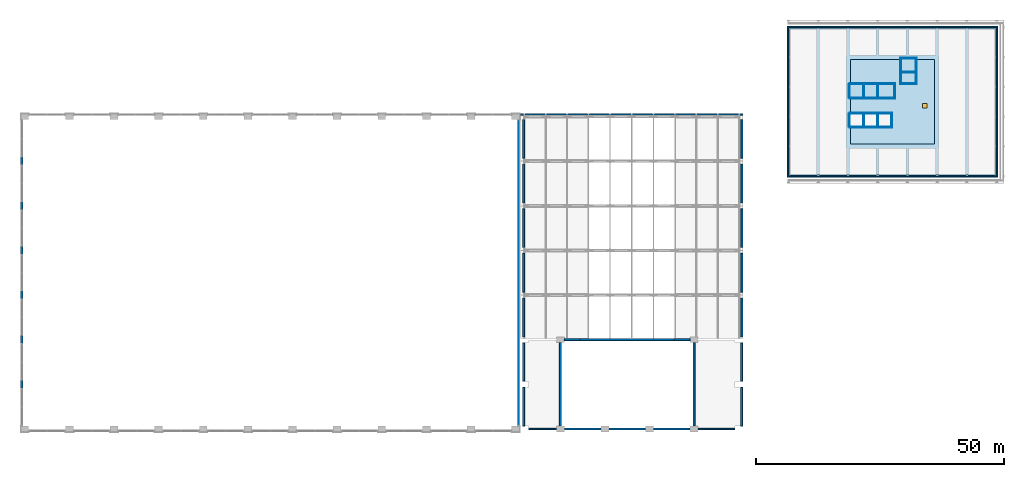
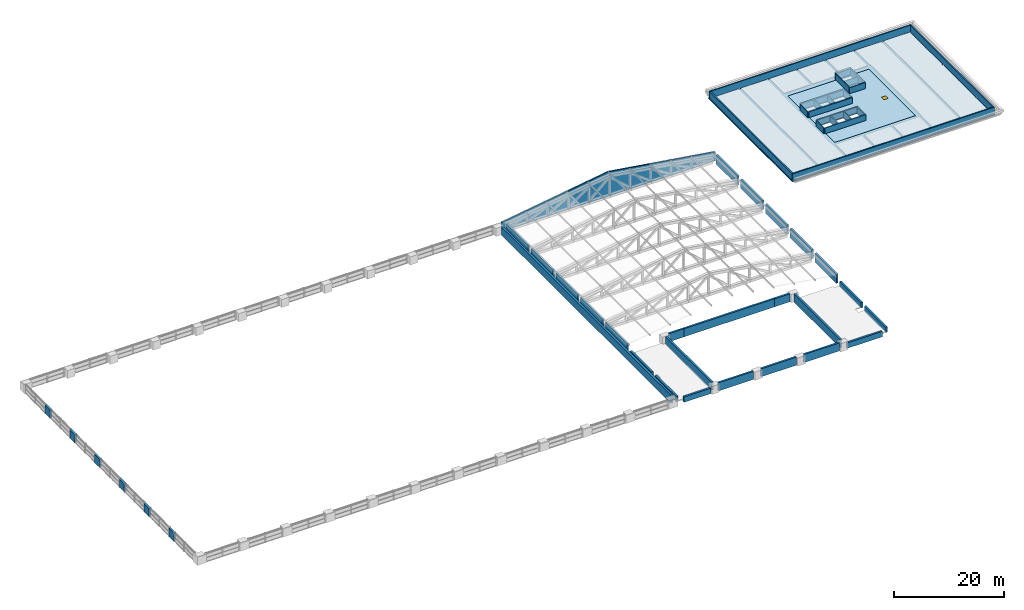
"""IFC4 building model written with IfcOpenShell, lengths in metres."""

from ifc_helpers import new_model, si_unit, direction, frame, frame_2d, origin, origin_2d, place, context, subcontext, project, spatial, polyline, rectangle, outline, extrude, material, layer, layer_set, type_object, element, fill, save


model = new_model("IFC4")

# Units and contexts
model_context = context("Model", 3, precision=1e-05, world=origin(), true_north=direction((0.0, 1.0)))
body_context = subcontext(model_context, "Body", "Model", "MODEL_VIEW")
ifc_project = project(units=[si_unit("LENGTHUNIT", "METRE"), si_unit("AREAUNIT", "SQUARE_METRE"), si_unit("VOLUMEUNIT", "CUBIC_METRE"), si_unit("PLANEANGLEUNIT", "RADIAN"), si_unit("MASSUNIT", "GRAM", prefix="KILO")], contexts=[model_context])

# Site, building, storey
site_placement = place(None, origin())
site = spatial("IfcSite", under=ifc_project, at=site_placement, CompositionType="ELEMENT")
building_placement = place(site_placement, origin())
building = spatial("IfcBuilding", under=site, at=building_placement, Name="Aravalli Gate Trade Fair Centre", CompositionType="ELEMENT")
storey_1_placement = place(building_placement, frame((0.0, 0.0, 23.39990234375)))
storey_1 = spatial("IfcBuildingStorey", under=building, at=storey_1_placement, Name="ROOF LEVEL 1", CompositionType="ELEMENT", Elevation=23.39990234375)

# Slab, opening
ifc_material_1 = material(Name="Concrete M50", Category="concrete")
ifc_layer_1 = layer(ifc_material_1, 0.199951171875)
ifc_layer_set_1 = layer_set([ifc_layer_1], Name="Concrete M50")
slab_type_1 = type_object("IfcSlabType", Name="Wing core roof slab 200", PredefinedType="ROOF", material=ifc_layer_set_1)
slab_1_placement = place(storey_1_placement, frame((0.0, 0.0, -0.199951171875)))
slab_1 = element("IfcSlab", 1, at=slab_1_placement, inside=storey_1, type_object=slab_type_1, Name="Core roof slab ROOF LEVEL 1", PredefinedType="ROOF", context=body_context, shape_type="SweptSolid", body=[
    extrude(outline(polyline([(189.5, 120.5), (189.5, 103.5), (172.5, 103.5), (172.5, 106.89990234375), (175.10009765625, 106.89990234375), (175.10009765625, 109.60009765625), (172.5, 109.60009765625), (172.5, 112.800048828125), (175.10009765625, 112.800048828125), (175.10009765625, 115.5), (172.5, 115.5), (172.5, 120.5), (182.800048828125, 120.5), (182.800048828125, 118.0), (185.699951171875, 118.0), (185.699951171875, 120.5), (189.5, 120.5)]), holes=[polyline([(175.300048828125, 109.60009765625), (175.300048828125, 106.89990234375), (177.89990234375, 106.89990234375), (177.89990234375, 109.60009765625), (175.300048828125, 109.60009765625)]), polyline([(178.10009765625, 109.60009765625), (178.10009765625, 106.89990234375), (180.699951171875, 106.89990234375), (180.699951171875, 109.60009765625), (178.10009765625, 109.60009765625)]), polyline([(175.300048828125, 115.5), (175.300048828125, 112.800048828125), (177.89990234375, 112.800048828125), (177.89990234375, 115.5), (175.300048828125, 115.5)]), polyline([(178.10009765625, 115.5), (178.10009765625, 112.800048828125), (181.300048828125, 112.800048828125), (181.300048828125, 115.5), (178.10009765625, 115.5)]), polyline([(182.800048828125, 117.800048828125), (182.800048828125, 115.699951171875), (185.699951171875, 115.699951171875), (185.699951171875, 117.800048828125), (182.800048828125, 117.800048828125)])]), origin(), (0.0, 0.0, 1.0), 0.199951171875),
])
opening_placement = place(slab_1_placement, frame((187.5, 111.199951171875, 0.0)))
opening = element("IfcOpeningElement", 2, at=opening_placement, cuts=slab_1, Name="Opening TGH1", PredefinedType="OPENING", context=body_context, shape_type="SweptSolid", body=[
    extrude(rectangle(XDim=0.89990234375, YDim=0.89990234375, at=origin_2d()), origin(), (0.0, 0.0, 1.0), 0.199951171875),
])

# Storey
storey_2_placement = place(building_placement, frame((0.0, 0.0, 19.199951171875)))
storey_2 = spatial("IfcBuildingStorey", under=building, at=storey_2_placement, Name="L04", CompositionType="ELEMENT", Elevation=19.199951171875)

# Window
ifc_material_2 = material(Name="Steel", Category="steel")
window_type = type_object("IfcWindowType", Name="Wing roof access hatch 900 x 900", PartitioningType="SINGLE_PANEL", PredefinedType="SKYLIGHT", material=ifc_material_2)
window_placement = place(opening_placement, frame((0.0, 0.0, 0.14990234375)))
window = element("IfcWindow", 3, at=window_placement, inside=storey_2, type_object=window_type, Name="Roof access hatch", OverallHeight=0.89990234375, OverallWidth=0.89990234375, PartitioningType="SINGLE_PANEL", PredefinedType="SKYLIGHT", context=body_context, shape_type="SweptSolid", body=[
    extrude(rectangle(XDim=0.89990234375, YDim=0.89990234375, at=origin_2d()), origin(), (0.0, 0.0, 1.0), 0.050048828125),
])

fill(opening, window)

# Slabs
ifc_layer_2 = layer(ifc_material_1, 0.199951171875)
ifc_layer_set_2 = layer_set([ifc_layer_2], Name="Concrete M50")
slab_type_2 = type_object("IfcSlabType", Name="Wing overrun roof slab 200", PredefinedType="ROOF", material=ifc_layer_set_2)
slab_2_placement = place(storey_1_placement, frame((0.0, 0.0, 1.300048828125)))
element("IfcSlab", 4, at=slab_2_placement, inside=storey_1, type_object=slab_type_2, Name="Lift overrun roof slab N", PredefinedType="ROOF", context=body_context, shape_type="SweptSolid", body=[
    extrude(outline(polyline([(172.14990234375, 112.60009765625), (181.5, 112.60009765625), (181.5, 115.699951171875), (172.14990234375, 115.699951171875), (172.14990234375, 112.60009765625)])), origin(), (0.0, 0.0, 1.0), 0.199951171875),
])
slab_3_placement = place(storey_1_placement, frame((0.0, 0.0, 1.300048828125)))
element("IfcSlab", 5, at=slab_3_placement, inside=storey_1, type_object=slab_type_2, Name="Lift overrun roof slab F", PredefinedType="ROOF", context=body_context, shape_type="SweptSolid", body=[
    extrude(outline(polyline([(182.60009765625, 115.5), (185.89990234375, 115.5), (185.89990234375, 121.0), (182.60009765625, 121.0), (182.60009765625, 115.5)])), origin(), (0.0, 0.0, 1.0), 0.199951171875),
])
ifc_layer_3 = layer(ifc_material_1, 0.199951171875)
ifc_layer_set_3 = layer_set([ifc_layer_3], Name="Concrete M50")
slab_type_3 = type_object("IfcSlabType", Name="Wing roof slab 200", PredefinedType="ROOF", material=ifc_layer_set_3)
slab_4_placement = place(storey_1_placement, frame((0.0, 0.0, -0.199951171875)))
element("IfcSlab", 6, at=slab_4_placement, inside=storey_1, type_object=slab_type_3, Name="Wing roof slab ROOF LEVEL 1", PredefinedType="ROOF", context=body_context, shape_type="SweptSolid", body=[
    extrude(outline(polyline([(159.695068359375, 127.304931640625), (202.304931640625, 127.304931640625), (202.304931640625, 96.695068359375), (159.695068359375, 96.695068359375), (159.695068359375, 127.304931640625)]), holes=[polyline([(159.77490234375, 97.22509765625), (159.77490234375, 96.77490234375), (160.22509765625, 96.77490234375), (160.22509765625, 97.22509765625), (159.77490234375, 97.22509765625)]), polyline([(166.22509765625, 97.22509765625), (165.77490234375, 97.22509765625), (165.77490234375, 96.77490234375), (166.22509765625, 96.77490234375), (166.22509765625, 97.22509765625)]), polyline([(172.22509765625, 97.22509765625), (171.77490234375, 97.22509765625), (171.77490234375, 96.77490234375), (172.22509765625, 96.77490234375), (172.22509765625, 97.22509765625)]), polyline([(177.77490234375, 97.22509765625), (177.77490234375, 96.77490234375), (178.22509765625, 96.77490234375), (178.22509765625, 97.22509765625), (177.77490234375, 97.22509765625)]), polyline([(160.22509765625, 103.22509765625), (159.77490234375, 103.22509765625), (159.77490234375, 102.77490234375), (160.22509765625, 102.77490234375), (160.22509765625, 103.22509765625)]), polyline([(160.22509765625, 109.22509765625), (159.77490234375, 109.22509765625), (159.77490234375, 108.77490234375), (160.22509765625, 108.77490234375), (160.22509765625, 109.22509765625)]), polyline([(159.77490234375, 115.22509765625), (159.77490234375, 114.77490234375), (160.22509765625, 114.77490234375), (160.22509765625, 115.22509765625), (159.77490234375, 115.22509765625)]), polyline([(160.22509765625, 121.22509765625), (159.77490234375, 121.22509765625), (159.77490234375, 120.77490234375), (160.22509765625, 120.77490234375), (160.22509765625, 121.22509765625)]), polyline([(160.22509765625, 127.22509765625), (159.77490234375, 127.22509765625), (159.77490234375, 126.77490234375), (160.22509765625, 126.77490234375), (160.22509765625, 127.22509765625)]), polyline([(165.77490234375, 127.22509765625), (165.77490234375, 126.77490234375), (166.22509765625, 126.77490234375), (166.22509765625, 127.22509765625), (165.77490234375, 127.22509765625)]), polyline([(172.22509765625, 127.22509765625), (171.77490234375, 127.22509765625), (171.77490234375, 126.77490234375), (172.22509765625, 126.77490234375), (172.22509765625, 127.22509765625)]), polyline([(178.22509765625, 127.22509765625), (177.77490234375, 127.22509765625), (177.77490234375, 126.77490234375), (178.22509765625, 126.77490234375), (178.22509765625, 127.22509765625)]), polyline([(183.77490234375, 97.22509765625), (183.77490234375, 96.77490234375), (184.22509765625, 96.77490234375), (184.22509765625, 97.22509765625), (183.77490234375, 97.22509765625)]), polyline([(190.22509765625, 97.22509765625), (189.77490234375, 97.22509765625), (189.77490234375, 96.77490234375), (190.22509765625, 96.77490234375), (190.22509765625, 97.22509765625)]), polyline([(196.22509765625, 97.22509765625), (195.77490234375, 97.22509765625), (195.77490234375, 96.77490234375), (196.22509765625, 96.77490234375), (196.22509765625, 97.22509765625)]), polyline([(201.77490234375, 97.22509765625), (201.77490234375, 96.77490234375), (202.22509765625, 96.77490234375), (202.22509765625, 97.22509765625), (201.77490234375, 97.22509765625)]), polyline([(202.22509765625, 103.22509765625), (201.77490234375, 103.22509765625), (201.77490234375, 102.77490234375), (202.22509765625, 102.77490234375), (202.22509765625, 103.22509765625)]), polyline([(202.22509765625, 109.22509765625), (201.77490234375, 109.22509765625), (201.77490234375, 108.77490234375), (202.22509765625, 108.77490234375), (202.22509765625, 109.22509765625)]), polyline([(201.77490234375, 115.22509765625), (201.77490234375, 114.77490234375), (202.22509765625, 114.77490234375), (202.22509765625, 115.22509765625), (201.77490234375, 115.22509765625)]), polyline([(202.22509765625, 121.22509765625), (201.77490234375, 121.22509765625), (201.77490234375, 120.77490234375), (202.22509765625, 120.77490234375), (202.22509765625, 121.22509765625)]), polyline([(184.22509765625, 127.22509765625), (183.77490234375, 127.22509765625), (183.77490234375, 126.77490234375), (184.22509765625, 126.77490234375), (184.22509765625, 127.22509765625)]), polyline([(189.77490234375, 127.22509765625), (189.77490234375, 126.77490234375), (190.22509765625, 126.77490234375), (190.22509765625, 127.22509765625), (189.77490234375, 127.22509765625)]), polyline([(196.22509765625, 127.22509765625), (195.77490234375, 127.22509765625), (195.77490234375, 126.77490234375), (196.22509765625, 126.77490234375), (196.22509765625, 127.22509765625)]), polyline([(202.22509765625, 127.22509765625), (201.77490234375, 127.22509765625), (201.77490234375, 126.77490234375), (202.22509765625, 126.77490234375), (202.22509765625, 127.22509765625)]), polyline([(189.5, 120.5), (172.5, 120.5), (172.5, 103.5), (189.5, 103.5), (189.5, 120.5)])]), origin(), (0.0, 0.0, 1.0), 0.199951171875),
])

# Walls
ifc_material_3 = material(Name="Concrete M40", Category="concrete")
ifc_layer_4 = layer(ifc_material_3, 0.39990234375)
ifc_layer_set_4 = layer_set([ifc_layer_4], Name="Concrete M40")
wall_type_1 = type_object("IfcWallType", Name="Congress RC wall 400", PredefinedType="SHEAR", material=ifc_layer_set_4)
for number, where, z_axis, x_axis, name in (
    (7, (114.0, 46.60009765625, 0.0), (0.0, 0.0, 1.0), (0.0, 1.0, 0.0), "Stage house wall line 114 ROOF LEVEL 1"),
    (8, (141.0, 46.60009765625, 0.0), (0.0, 0.0, 1.0), (0.0, 1.0, 0.0), "Stage house wall line 141 ROOF LEVEL 1"),
):
    element("IfcWall", number, at=place(storey_1_placement, frame(where, z_axis=z_axis, x_axis=x_axis)), inside=storey_1, type_object=wall_type_1, Name=name, PredefinedType="SHEAR", context=body_context, shape_type="SweptSolid", body=[
        extrude(rectangle(XDim=16.7998046875, YDim=0.39990234375, at=frame_2d((8.39990234375, 0.0))), origin(), (0.0, 0.0, 1.0), 1.800048828125),
    ])
for number, where, z_axis, x_axis, name in (
    (9, (114.800048828125, 64.0, 0.0), (0.0, 0.0, 1.0), (1.0, 0.0, 0.0), "Proscenium wall W ROOF LEVEL 1"),
    (10, (137.0, 64.0, 0.0), (0.0, 0.0, 1.0), (1.0, 0.0, 0.0), "Proscenium wall E ROOF LEVEL 1"),
):
    element("IfcWall", number, at=place(storey_1_placement, frame(where, z_axis=z_axis, x_axis=x_axis)), inside=storey_1, type_object=wall_type_1, Name=name, PredefinedType="SHEAR", context=body_context, shape_type="SweptSolid", body=[
        extrude(rectangle(XDim=3.199951171875, YDim=0.39990234375, at=frame_2d((1.60009765625, 0.0))), origin(), (0.0, 0.0, 1.0), 1.800048828125),
    ])
wall_1_placement = place(storey_1_placement, frame((118.0, 64.0, 0.0), z_axis=(0.0, 0.0, 1.0), x_axis=(1.0, 0.0, 0.0)))
element("IfcWall", 11, at=wall_1_placement, inside=storey_1, type_object=wall_type_1, Name="Proscenium wall above the opening ROOF LEVEL 1", PredefinedType="SHEAR", context=body_context, shape_type="SweptSolid", body=[
    extrude(rectangle(XDim=19.0, YDim=0.39990234375, at=frame_2d((9.5, 0.0))), origin(), (0.0, 0.0, 1.0), 1.800048828125),
])
ifc_layer_5 = layer(ifc_material_3, 0.25, Name="Structural wall")
ifc_material_4 = material(Name="Ventilated air cavity")
ifc_layer_6 = layer(ifc_material_4, 0.050048828125, ventilated=True, Name="Ventilated cavity")
ifc_material_5 = material(Name="Terracotta rainscreen", Category="masonry")
ifc_layer_7 = layer(ifc_material_5, 0.10009765625, Name="Rainscreen cladding")
ifc_layer_set_5 = layer_set([ifc_layer_5, ifc_layer_6, ifc_layer_7], Name="Congress external wall 400")
wall_type_2 = type_object("IfcWallType", Name="Congress external wall 400", PredefinedType="SOLIDWALL", material=ifc_layer_set_5)
for number, where, z_axis, x_axis, name in (
    (12, (114.800048828125, 46.0, 0.0), (0.0, 0.0, 1.0), (1.0, 0.0, 0.0), "Stage house south wall ROOF LEVEL 1 bay 2"),
    (13, (123.800048828125, 46.0, 0.0), (0.0, 0.0, 1.0), (1.0, 0.0, 0.0), "Stage house south wall ROOF LEVEL 1 bay 3"),
    (14, (132.800048828125, 46.0, 0.0), (0.0, 0.0, 1.0), (1.0, 0.0, 0.0), "Stage house south wall ROOF LEVEL 1 bay 4"),
):
    element("IfcWall", number, at=place(storey_1_placement, frame(where, z_axis=z_axis, x_axis=x_axis)), inside=storey_1, type_object=wall_type_2, Name=name, PredefinedType="SOLIDWALL", context=body_context, shape_type="SweptSolid", body=[
        extrude(rectangle(XDim=7.39990234375, YDim=0.39990234375, at=frame_2d((3.699951171875, 0.0))), origin(), (0.0, 0.0, 1.0), 1.800048828125),
    ])
for number, where, z_axis, x_axis, name in (
    (15, (106.60009765625, 64.60009765625, 0.0), (0.0, 0.0, 1.0), (0.0, 1.0, 0.0), "Eaves band W bay 3"),
    (16, (106.60009765625, 73.60009765625, 0.0), (0.0, 0.0, 1.0), (0.0, 1.0, 0.0), "Eaves band W bay 4"),
    (17, (106.60009765625, 82.60009765625, 0.0), (0.0, 0.0, 1.0), (0.0, 1.0, 0.0), "Eaves band W bay 5"),
    (18, (106.60009765625, 91.60009765625, 0.0), (0.0, 0.0, 1.0), (0.0, 1.0, 0.0), "Eaves band W bay 6"),
    (19, (106.60009765625, 100.60009765625, 0.0), (0.0, 0.0, 1.0), (0.0, 1.0, 0.0), "Eaves band W bay 7"),
):
    element("IfcWall", number, at=place(storey_1_placement, frame(where, z_axis=z_axis, x_axis=x_axis)), inside=storey_1, type_object=wall_type_2, Name=name, PredefinedType="SOLIDWALL", context=body_context, shape_type="SweptSolid", body=[
        extrude(rectangle(XDim=7.7998046875, YDim=0.39990234375, at=frame_2d((3.89990234375, 0.0))), origin(), (0.0, 0.0, 1.0), 2.076416015625),
    ])
for number, where, z_axis, x_axis, name in (
    (20, (150.60009765625, 64.60009765625, 0.0), (0.0, 0.0, 1.0), (0.0, 1.0, 0.0), "Eaves band E bay 3"),
    (21, (150.60009765625, 73.60009765625, 0.0), (0.0, 0.0, 1.0), (0.0, 1.0, 0.0), "Eaves band E bay 4"),
    (22, (150.60009765625, 82.60009765625, 0.0), (0.0, 0.0, 1.0), (0.0, 1.0, 0.0), "Eaves band E bay 5"),
    (23, (150.60009765625, 91.60009765625, 0.0), (0.0, 0.0, 1.0), (0.0, 1.0, 0.0), "Eaves band E bay 6"),
    (24, (150.60009765625, 100.60009765625, 0.0), (0.0, 0.0, 1.0), (0.0, 1.0, 0.0), "Eaves band E bay 7"),
):
    element("IfcWall", number, at=place(storey_1_placement, frame(where, z_axis=z_axis, x_axis=x_axis)), inside=storey_1, type_object=wall_type_2, Name=name, PredefinedType="SOLIDWALL", context=body_context, shape_type="SweptSolid", body=[
        extrude(rectangle(XDim=7.7998046875, YDim=0.39990234375, at=frame_2d((3.89990234375, 0.0))), origin(), (0.0, 0.0, 1.0), 2.015380859375),
    ])
ifc_material_6 = material(Name="Terracotta", Category="masonry")
ifc_layer_8 = layer(ifc_material_6, 0.300048828125)
ifc_layer_set_6 = layer_set([ifc_layer_8], Name="Terracotta")
wall_type_3 = type_object("IfcWallType", Name="Congress gable infill 300", PredefinedType="SOLIDWALL", material=ifc_layer_set_6)
wall_2_placement = place(storey_1_placement, frame((105.949951171875, 109.449951171875, 0.0), z_axis=(0.0, 0.0, 1.0), x_axis=(1.0, 0.0, 0.0)))
element("IfcWall", 25, at=wall_2_placement, inside=storey_1, type_object=wall_type_3, Name="North gable infill", PredefinedType="SOLIDWALL", context=body_context, shape_type="SweptSolid", body=[
    extrude(outline(polyline([(0.0, 0.0), (44.85009765625, 0.0), (44.85009765625, 1.98486328125), (44.050048828125, 2.107177734375), (39.72998046875, 2.76708984375), (35.409912109375, 3.427001953125), (31.090087890625, 4.087158203125), (26.77001953125, 4.7470703125), (22.449951171875, 5.406982421875), (18.1298828125, 4.7470703125), (13.81005859375, 4.087158203125), (9.489990234375, 3.427001953125), (5.169921875, 2.76708984375), (0.85009765625, 2.107177734375), (0.0, 1.977294921875), (0.0, 0.0)])), frame((0.0, 0.14990234375, 0.0), z_axis=(0.0, -1.0, 0.0), x_axis=(1.0, 0.0, 0.0)), (0.0, 0.0, 1.0), 0.300048828125),
])
ifc_layer_9 = layer(ifc_material_3, 0.25, Name="Structural wall")
ifc_layer_10 = layer(ifc_material_4, 0.050048828125, ventilated=True, Name="Ventilated cavity")
ifc_layer_11 = layer(ifc_material_5, 0.10009765625, Name="Rainscreen cladding")
ifc_layer_set_7 = layer_set([ifc_layer_9, ifc_layer_10, ifc_layer_11], Name="Congress wing parapet 400")
wall_type_4 = type_object("IfcWallType", Name="Congress wing parapet 400", PredefinedType="PARAPET", material=ifc_layer_set_7)
for number, where, z_axis, x_axis, name in (
    (26, (106.60009765625, 46.60009765625, 0.0), (0.0, 0.0, 1.0), (0.0, 1.0, 0.0), "Wing parapet W 1"),
    (27, (106.60009765625, 55.60009765625, 0.0), (0.0, 0.0, 1.0), (0.0, 1.0, 0.0), "Wing parapet W 2"),
    (28, (150.60009765625, 46.60009765625, 0.0), (0.0, 0.0, 1.0), (0.0, 1.0, 0.0), "Wing parapet E 1"),
    (29, (150.60009765625, 55.60009765625, 0.0), (0.0, 0.0, 1.0), (0.0, 1.0, 0.0), "Wing parapet E 2"),
):
    element("IfcWall", number, at=place(storey_1_placement, frame(where, z_axis=z_axis, x_axis=x_axis)), inside=storey_1, type_object=wall_type_4, Name=name, PredefinedType="PARAPET", context=body_context, shape_type="SweptSolid", body=[
        extrude(rectangle(XDim=7.7998046875, YDim=0.39990234375, at=frame_2d((3.89990234375, 0.0))), origin(), (0.0, 0.0, 1.0), 1.2001953125),
    ])
wall_3_placement = place(storey_1_placement, frame((107.60009765625, 46.0, 0.0), z_axis=(0.0, 0.0, 1.0), x_axis=(1.0, 0.0, 0.0)))
element("IfcWall", 30, at=wall_3_placement, inside=storey_1, type_object=wall_type_4, Name="Wing parapet south W", PredefinedType="PARAPET", context=body_context, shape_type="SweptSolid", body=[
    extrude(rectangle(XDim=5.599853515625, YDim=0.39990234375, at=frame_2d((2.7998046875, 0.0))), origin(), (0.0, 0.0, 1.0), 1.2001953125),
])
wall_4_placement = place(storey_1_placement, frame((141.800048828125, 46.0, 0.0), z_axis=(0.0, 0.0, 1.0), x_axis=(1.0, 0.0, 0.0)))
element("IfcWall", 31, at=wall_4_placement, inside=storey_1, type_object=wall_type_4, Name="Wing parapet south E", PredefinedType="PARAPET", context=body_context, shape_type="SweptSolid", body=[
    extrude(rectangle(XDim=7.39990234375, YDim=0.39990234375, at=frame_2d((3.699951171875, 0.0))), origin(), (0.0, 0.0, 1.0), 1.2001953125),
])
ifc_layer_12 = layer(ifc_material_3, 0.25, Name="Structural wall")
ifc_layer_13 = layer(ifc_material_4, 0.10009765625, ventilated=True, Name="Ventilated cavity")
ifc_layer_14 = layer(ifc_material_5, 0.10009765625, Name="Rainscreen cladding")
ifc_layer_set_8 = layer_set([ifc_layer_12, ifc_layer_13, ifc_layer_14], Name="Hall external wall 450")
wall_type_5 = type_object("IfcWallType", Name="Hall external wall 450", PredefinedType="SOLIDWALL", material=ifc_layer_set_8)
for number, where, z_axis, x_axis, name in (
    (32, (5.425048828125, 54.10009765625, 0.0), (0.0, 0.0, 1.0), (0.0, 1.0, 0.0), "Hall west crown pier 1 ROOF LEVEL 1"),
    (33, (5.425048828125, 63.10009765625, 0.0), (0.0, 0.0, 1.0), (0.0, 1.0, 0.0), "Hall west crown pier 2 ROOF LEVEL 1"),
    (34, (5.425048828125, 72.10009765625, 0.0), (0.0, 0.0, 1.0), (0.0, 1.0, 0.0), "Hall west crown pier 3 ROOF LEVEL 1"),
    (35, (5.425048828125, 81.10009765625, 0.0), (0.0, 0.0, 1.0), (0.0, 1.0, 0.0), "Hall west crown pier 4 ROOF LEVEL 1"),
    (36, (5.425048828125, 90.10009765625, 0.0), (0.0, 0.0, 1.0), (0.0, 1.0, 0.0), "Hall west crown pier 5 ROOF LEVEL 1"),
    (37, (5.425048828125, 99.10009765625, 0.0), (0.0, 0.0, 1.0), (0.0, 1.0, 0.0), "Hall west crown pier 6 ROOF LEVEL 1"),
):
    element("IfcWall", number, at=place(storey_1_placement, frame(where, z_axis=z_axis, x_axis=x_axis)), inside=storey_1, type_object=wall_type_5, Name=name, PredefinedType="SOLIDWALL", context=body_context, shape_type="SweptSolid", body=[
        extrude(rectangle(XDim=1.7998046875, YDim=0.449951171875, at=frame_2d((0.89990234375, 0.0))), origin(), (0.0, 0.0, 1.0), 1.800048828125),
    ])
wall_5_placement = place(storey_1_placement, frame((105.574951171875, 46.75, 0.0), z_axis=(0.0, 0.0, 1.0), x_axis=(0.0, 1.0, 0.0)))
element("IfcWall", 38, at=wall_5_placement, inside=storey_1, type_object=wall_type_5, Name="Hall east wall ROOF LEVEL 1", PredefinedType="SOLIDWALL", context=body_context, shape_type="SweptSolid", body=[
    extrude(rectangle(XDim=61.5, YDim=0.449951171875, at=frame_2d((30.75, 0.0))), origin(), (0.0, 0.0, 1.0), 1.800048828125),
])
ifc_material_7 = material(Name="Concrete M30", Category="concrete")
ifc_layer_15 = layer(ifc_material_7, 0.199951171875)
ifc_layer_set_9 = layer_set([ifc_layer_15], Name="Concrete M30")
wall_type_6 = type_object("IfcWallType", Name="Wing lift overrun wall 200", PredefinedType="SOLIDWALL", material=ifc_layer_set_9)
for number, where, z_axis, x_axis, name in (
    (39, (172.35009765625, 106.800048828125, 0.0), (0.0, 0.0, 1.0), (1.0, 0.0, 0.0), "Lift overrun wall S1"),
    (40, (172.35009765625, 109.699951171875, 0.0), (0.0, 0.0, 1.0), (1.0, 0.0, 0.0), "Lift overrun wall S2"),
):
    element("IfcWall", number, at=place(storey_1_placement, frame(where, z_axis=z_axis, x_axis=x_axis)), inside=storey_1, type_object=wall_type_6, Name=name, PredefinedType="SOLIDWALL", context=body_context, shape_type="SweptSolid", body=[
        extrude(rectangle(XDim=8.5498046875, YDim=0.199951171875, at=frame_2d((4.27490234375, 0.0))), origin(), (0.0, 0.0, 1.0), 1.300048828125),
    ])
for number, where, z_axis, x_axis, name in (
    (41, (172.25, 106.89990234375, 0.0), (0.0, 0.0, 1.0), (0.0, 1.0, 0.0), "Lift overrun wall S5"),
    (42, (175.199951171875, 106.89990234375, 0.0), (0.0, 0.0, 1.0), (0.0, 1.0, 0.0), "Lift overrun wall S6"),
    (43, (178.0, 106.89990234375, 0.0), (0.0, 0.0, 1.0), (0.0, 1.0, 0.0), "Lift overrun wall S7"),
    (44, (180.800048828125, 106.89990234375, 0.0), (0.0, 0.0, 1.0), (0.0, 1.0, 0.0), "Lift overrun wall S8"),
):
    element("IfcWall", number, at=place(storey_1_placement, frame(where, z_axis=z_axis, x_axis=x_axis)), inside=storey_1, type_object=wall_type_6, Name=name, PredefinedType="SOLIDWALL", context=body_context, shape_type="SweptSolid", body=[
        extrude(rectangle(XDim=2.7001953125, YDim=0.199951171875, at=frame_2d((1.35009765625, 0.0))), origin(), (0.0, 0.0, 1.0), 1.300048828125),
    ])
for number, where, z_axis, x_axis, name in (
    (45, (172.35009765625, 112.699951171875, 0.0), (0.0, 0.0, 1.0), (1.0, 0.0, 0.0), "Lift overrun wall N1"),
    (46, (172.35009765625, 115.60009765625, 0.0), (0.0, 0.0, 1.0), (1.0, 0.0, 0.0), "Lift overrun wall N2"),
):
    element("IfcWall", number, at=place(storey_1_placement, frame(where, z_axis=z_axis, x_axis=x_axis)), inside=storey_1, type_object=wall_type_6, Name=name, PredefinedType="SOLIDWALL", context=body_context, shape_type="SweptSolid", body=[
        extrude(rectangle(XDim=9.14990234375, YDim=0.199951171875, at=frame_2d((4.574951171875, 0.0))), origin(), (0.0, 0.0, 1.0), 1.300048828125),
    ])
for number, where, z_axis, x_axis, name in (
    (47, (172.25, 112.800048828125, 0.0), (0.0, 0.0, 1.0), (0.0, 1.0, 0.0), "Lift overrun wall N5"),
    (48, (175.199951171875, 112.800048828125, 0.0), (0.0, 0.0, 1.0), (0.0, 1.0, 0.0), "Lift overrun wall N6"),
    (49, (178.0, 112.800048828125, 0.0), (0.0, 0.0, 1.0), (0.0, 1.0, 0.0), "Lift overrun wall N7"),
    (50, (181.39990234375, 112.800048828125, 0.0), (0.0, 0.0, 1.0), (0.0, 1.0, 0.0), "Lift overrun wall N8"),
):
    element("IfcWall", number, at=place(storey_1_placement, frame(where, z_axis=z_axis, x_axis=x_axis)), inside=storey_1, type_object=wall_type_6, Name=name, PredefinedType="SOLIDWALL", context=body_context, shape_type="SweptSolid", body=[
        extrude(rectangle(XDim=2.699951171875, YDim=0.199951171875, at=frame_2d((1.35009765625, 0.0))), origin(), (0.0, 0.0, 1.0), 1.300048828125),
    ])
wall_6_placement = place(storey_1_placement, frame((182.60009765625, 115.60009765625, 0.0), z_axis=(0.0, 0.0, 1.0), x_axis=(1.0, 0.0, 0.0)))
element("IfcWall", 51, at=wall_6_placement, inside=storey_1, type_object=wall_type_6, Name="Lift overrun wall F1", PredefinedType="SOLIDWALL", context=body_context, shape_type="SweptSolid", body=[
    extrude(rectangle(XDim=3.2998046875, YDim=0.199951171875, at=frame_2d((1.64990234375, 0.0))), origin(), (0.0, 0.0, 1.0), 1.300048828125),
])
wall_7_placement = place(storey_1_placement, frame((182.800048828125, 117.89990234375, 0.0), z_axis=(0.0, 0.0, 1.0), x_axis=(1.0, 0.0, 0.0)))
element("IfcWall", 52, at=wall_7_placement, inside=storey_1, type_object=wall_type_6, Name="Lift overrun wall F2", PredefinedType="SOLIDWALL", context=body_context, shape_type="SweptSolid", body=[
    extrude(rectangle(XDim=2.89990234375, YDim=0.199951171875, at=frame_2d((1.449951171875, 0.0))), origin(), (0.0, 0.0, 1.0), 1.300048828125),
])
wall_8_placement = place(storey_1_placement, frame((182.60009765625, 120.75, 0.0), z_axis=(0.0, 0.0, 1.0), x_axis=(1.0, 0.0, 0.0)))
element("IfcWall", 53, at=wall_8_placement, inside=storey_1, type_object=wall_type_6, Name="Lift overrun wall F3", PredefinedType="SOLIDWALL", context=body_context, shape_type="SweptSolid", body=[
    extrude(rectangle(XDim=3.2998046875, YDim=0.199951171875, at=frame_2d((1.64990234375, 0.0))), origin(), (0.0, 0.0, 1.0), 1.300048828125),
])
for number, where, z_axis, x_axis, name in (
    (54, (182.699951171875, 115.699951171875, 0.0), (0.0, 0.0, 1.0), (0.0, 1.0, 0.0), "Lift overrun wall F5"),
    (55, (185.800048828125, 115.699951171875, 0.0), (0.0, 0.0, 1.0), (0.0, 1.0, 0.0), "Lift overrun wall F6"),
):
    element("IfcWall", number, at=place(storey_1_placement, frame(where, z_axis=z_axis, x_axis=x_axis)), inside=storey_1, type_object=wall_type_6, Name=name, PredefinedType="SOLIDWALL", context=body_context, shape_type="SweptSolid", body=[
        extrude(rectangle(XDim=4.949951171875, YDim=0.199951171875, at=frame_2d((2.47509765625, 0.0))), origin(), (0.0, 0.0, 1.0), 1.300048828125),
    ])
ifc_layer_16 = layer(ifc_material_7, 0.2099609375, Name="Parapet body")
ifc_material_8 = material(Name="Terracotta facing", Category="masonry")
ifc_layer_17 = layer(ifc_material_8, 0.0400390625, Name="Terracotta facing")
ifc_layer_set_10 = layer_set([ifc_layer_16, ifc_layer_17], Name="Wing roof parapet 250")
wall_type_7 = type_object("IfcWallType", Name="Wing roof parapet 250", PredefinedType="PARAPET", material=ifc_layer_set_10)
for number, where, z_axis, x_axis, name in (
    (56, (159.800048828125, 96.925048828125, 0.0), (0.0, 0.0, 1.0), (1.0, 0.0, 0.0), "Roof parapet S"),
    (57, (159.800048828125, 127.074951171875, 0.0), (0.0, 0.0, 1.0), (1.0, 0.0, 0.0), "Roof parapet N"),
):
    element("IfcWall", number, at=place(storey_1_placement, frame(where, z_axis=z_axis, x_axis=x_axis)), inside=storey_1, type_object=wall_type_7, Name=name, PredefinedType="PARAPET", context=body_context, shape_type="SweptSolid", body=[
        extrude(rectangle(XDim=42.39990234375, YDim=0.25, at=frame_2d((21.199951171875, 0.0))), origin(), (0.0, 0.0, 1.0), 1.5),
    ])
for number, where, z_axis, x_axis, name in (
    (58, (159.925048828125, 97.050048828125, 0.0), (0.0, 0.0, 1.0), (0.0, 1.0, 0.0), "Roof parapet W"),
    (59, (202.074951171875, 97.050048828125, 0.0), (0.0, 0.0, 1.0), (0.0, 1.0, 0.0), "Roof parapet E"),
):
    element("IfcWall", number, at=place(storey_1_placement, frame(where, z_axis=z_axis, x_axis=x_axis)), inside=storey_1, type_object=wall_type_7, Name=name, PredefinedType="PARAPET", context=body_context, shape_type="SweptSolid", body=[
        extrude(rectangle(XDim=29.89990234375, YDim=0.25, at=frame_2d((14.949951171875, 0.0))), origin(), (0.0, 0.0, 1.0), 1.5),
    ])

save(model, "model.ifc")
